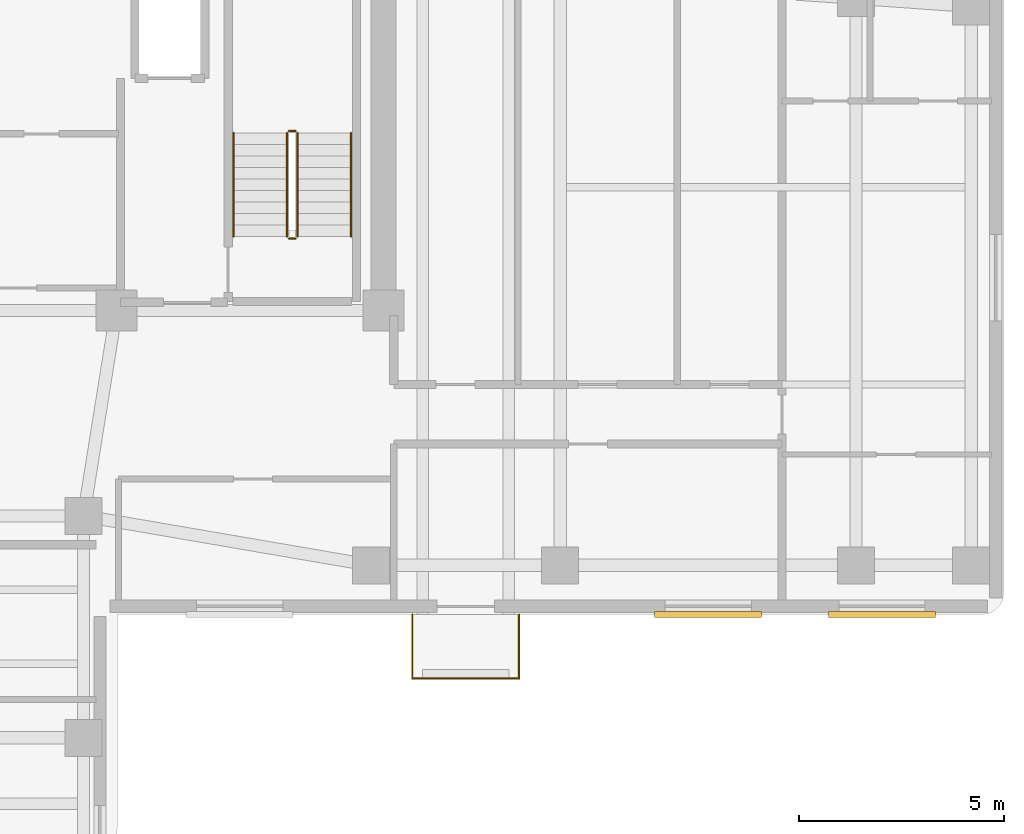
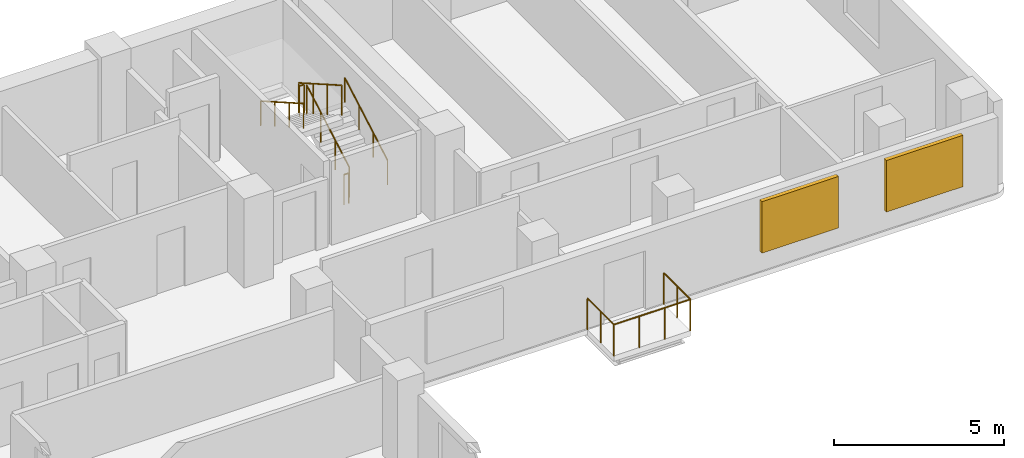
# One storey, part 7 of 7: 9 railings, 2 shading devices.
"""IFC4 building model written with IfcOpenShell, lengths in metres."""

from ifc_helpers import new_model, si_unit, direction, frame, origin, origin_2d, place, context, subcontext, project, spatial, rectangle, circle, extrude, material, layer, layer_set, type_object, element, save


model = new_model("IFC4")

# Units and contexts
model_context = context("Model", 3, precision=1e-05, world=origin(), true_north=direction((0.0, 1.0)))
body_context = subcontext(model_context, "Body", "Model", "MODEL_VIEW")
ifc_project = project(units=[si_unit("LENGTHUNIT", "METRE"), si_unit("AREAUNIT", "SQUARE_METRE"), si_unit("VOLUMEUNIT", "CUBIC_METRE"), si_unit("PLANEANGLEUNIT", "RADIAN"), si_unit("MASSUNIT", "GRAM", prefix="KILO")], contexts=[model_context])

# Site, building, storey
site_placement = place(None, origin())
site = spatial("IfcSite", under=ifc_project, at=site_placement, CompositionType="ELEMENT")
building_placement = place(site_placement, origin())
building = spatial("IfcBuilding", under=site, at=building_placement, Name="Kuzgunbayir Cultural Tower", CompositionType="ELEMENT")
storey_placement = place(building_placement, frame((0.0, 0.0, 179.199951171875)))
storey = spatial("IfcBuildingStorey", under=building, at=storey_placement, Name="L52", CompositionType="ELEMENT", Elevation=179.199951171875)

# Railings
ifc_material_1 = material(Name="Laminated Glass and Stainless Steel", Category="steel")
ifc_layer_1 = layer(ifc_material_1, 0.080078125)
ifc_layer_set_1 = layer_set([ifc_layer_1], Name="Laminated Glass and Stainless Steel")
railing_type_1 = type_object("IfcRailingType", Name="RLG-BAL-115", PredefinedType="BALUSTRADE", material=ifc_layer_set_1)
railing_1_placement = place(storey_placement, frame((27.60009765625, 26.39990234375, 0.0)))
element("IfcRailing", 1, at=railing_1_placement, inside=storey, type_object=railing_type_1, Name="L52 Balcony Guard BAL-L52-WB1 Segment 1", PredefinedType="BALUSTRADE", context=body_context, shape_type="SweptSolid", body=[
    extrude(circle(Radius=0.02392578125, at=origin_2d()), frame((0.0, 0.0, 1.1259765625), z_axis=(0.0, -1.0, 0.0), x_axis=(1.0, 0.0, 0.0)), (0.0, 0.0, 1.0), 1.559814453125),
    extrude(circle(Radius=0.02099609375, at=origin_2d()), origin(), (0.0, 0.0, 1.0), 1.101806640625),
    extrude(circle(Radius=0.02099609375, at=origin_2d()), frame((0.0, -0.77978515625, 0.0)), (0.0, 0.0, 1.0), 1.101806640625),
    extrude(circle(Radius=0.02099609375, at=origin_2d()), frame((0.0, -1.559814453125, 0.0)), (0.0, 0.0, 1.0), 1.101806640625),
])
railing_2_placement = place(storey_placement, frame((27.60009765625, 24.840087890625, 0.0)))
element("IfcRailing", 2, at=railing_2_placement, inside=storey, type_object=railing_type_1, Name="L52 Balcony Guard BAL-L52-WB1 Segment 2", PredefinedType="BALUSTRADE", context=body_context, shape_type="SweptSolid", body=[
    extrude(circle(Radius=0.02392578125, at=origin_2d()), frame((0.0, 0.0, 1.1259765625), z_axis=(1.0, 0.0, 0.0), x_axis=(0.0, 1.0, 0.0)), (0.0, 0.0, 1.0), 2.599853515625),
    extrude(circle(Radius=0.02099609375, at=origin_2d()), origin(), (0.0, 0.0, 1.0), 1.101806640625),
    extrude(circle(Radius=0.02099609375, at=origin_2d()), frame((0.86669921875, 0.0, 0.0)), (0.0, 0.0, 1.0), 1.101806640625),
    extrude(circle(Radius=0.02099609375, at=origin_2d()), frame((1.733154296875, 0.0, 0.0)), (0.0, 0.0, 1.0), 1.101806640625),
    extrude(circle(Radius=0.02099609375, at=origin_2d()), frame((2.599853515625, 0.0, 0.0)), (0.0, 0.0, 1.0), 1.101806640625),
])
railing_3_placement = place(storey_placement, frame((30.199951171875, 24.840087890625, 0.0)))
element("IfcRailing", 3, at=railing_3_placement, inside=storey, type_object=railing_type_1, Name="L52 Balcony Guard BAL-L52-WB1 Segment 3", PredefinedType="BALUSTRADE", context=body_context, shape_type="SweptSolid", body=[
    extrude(circle(Radius=0.02392578125, at=origin_2d()), frame((0.0, 0.0, 1.1259765625), z_axis=(0.0, 1.0, 0.0), x_axis=(-1.0, 0.0, 0.0)), (0.0, 0.0, 1.0), 1.559814453125),
    extrude(circle(Radius=0.02099609375, at=origin_2d()), origin(), (0.0, 0.0, 1.0), 1.101806640625),
    extrude(circle(Radius=0.02099609375, at=origin_2d()), frame((0.0, 0.77978515625, 0.0)), (0.0, 0.0, 1.0), 1.101806640625),
    extrude(circle(Radius=0.02099609375, at=origin_2d()), frame((0.0, 1.559814453125, 0.0)), (0.0, 0.0, 1.0), 1.101806640625),
])
ifc_material_2 = material(Name="Brushed Stainless Steel", Category="steel")
ifc_layer_2 = layer(ifc_material_2, 0.050048828125)
ifc_layer_set_2 = layer_set([ifc_layer_2], Name="Brushed Stainless Steel")
railing_type_2 = type_object("IfcRailingType", Name="RLG-STAIR-HANDRAIL", PredefinedType="HANDRAIL", material=ifc_layer_set_2)
railing_4_placement = place(storey_placement, frame((26.110107421875, 35.60009765625, 0.16015625)))
element("IfcRailing", 4, at=railing_4_placement, inside=storey, type_object=railing_type_2, Name="L52 ST-2 stair handrail 1", PredefinedType="HANDRAIL", context=body_context, shape_type="SweptSolid", body=[
    extrude(circle(Radius=0.02392578125, at=origin_2d()), frame((0.0, 0.0, 0.8759765625), z_axis=(0.0, 0.868253494771, 0.496120820787), x_axis=(-1.0, 0.0, 0.0)), (0.0, 0.0, 1.0), 2.90234375),
    extrude(circle(Radius=0.02099609375, at=origin_2d()), origin(), (0.0, 0.0, 1.0), 0.851806640625),
    extrude(circle(Radius=0.02099609375, at=origin_2d()), frame((0.0, 0.840087890625, 0.47998046875)), (0.0, 0.0, 1.0), 0.851806640625),
    extrude(circle(Radius=0.02099609375, at=origin_2d()), frame((0.0, 1.679931640625, 0.9599609375)), (0.0, 0.0, 1.0), 0.851806640625),
    extrude(circle(Radius=0.02099609375, at=origin_2d()), frame((0.0, 2.52001953125, 1.43994140625)), (0.0, 0.0, 1.0), 0.851806640625),
])
railing_5_placement = place(storey_placement, frame((23.25, 38.1201171875, 1.760009765625)))
element("IfcRailing", 5, at=railing_5_placement, inside=storey, type_object=railing_type_2, Name="L52 ST-2 stair handrail 2", PredefinedType="HANDRAIL", context=body_context, shape_type="SweptSolid", body=[
    extrude(circle(Radius=0.02392578125, at=origin_2d()), frame((0.0, 0.0, 0.8759765625), z_axis=(0.0, -0.868253494771, 0.496120820787), x_axis=(1.0, 0.0, 0.0)), (0.0, 0.0, 1.0), 2.90234375),
    extrude(circle(Radius=0.02099609375, at=origin_2d()), origin(), (0.0, 0.0, 1.0), 0.851806640625),
    extrude(circle(Radius=0.02099609375, at=origin_2d()), frame((0.0, -0.840087890625, 0.47998046875)), (0.0, 0.0, 1.0), 0.851806640625),
    extrude(circle(Radius=0.02099609375, at=origin_2d()), frame((0.0, -1.679931640625, 0.9599609375)), (0.0, 0.0, 1.0), 0.851806640625),
    extrude(circle(Radius=0.02099609375, at=origin_2d()), frame((0.0, -2.52001953125, 1.43994140625)), (0.0, 0.0, 1.0), 0.851806640625),
])
ifc_material_3 = material(Name="Painted Steel Balustrade", Category="steel")
ifc_layer_3 = layer(ifc_material_3, 0.06005859375)
ifc_layer_set_3 = layer_set([ifc_layer_3], Name="Painted Steel Balustrade")
railing_type_3 = type_object("IfcRailingType", Name="RLG-WELL-GUARD", PredefinedType="GUARDRAIL", material=ifc_layer_set_3)
railing_6_placement = place(storey_placement, frame((24.81005859375, 35.60009765625, 0.16015625)))
element("IfcRailing", 6, at=railing_6_placement, inside=storey, type_object=railing_type_3, Name="L52 ST-2 stair guard 1", PredefinedType="GUARDRAIL", context=body_context, shape_type="SweptSolid", body=[
    extrude(circle(Radius=0.02392578125, at=origin_2d()), frame((0.0, 0.0, 1.076171875), z_axis=(0.0, 0.868253494771, 0.496120820787), x_axis=(-1.0, 0.0, 0.0)), (0.0, 0.0, 1.0), 2.90234375),
    extrude(circle(Radius=0.02099609375, at=origin_2d()), origin(), (0.0, 0.0, 1.0), 1.052001953125),
    extrude(circle(Radius=0.02099609375, at=origin_2d()), frame((0.0, 0.840087890625, 0.47998046875)), (0.0, 0.0, 1.0), 1.052001953125),
    extrude(circle(Radius=0.02099609375, at=origin_2d()), frame((0.0, 1.679931640625, 0.9599609375)), (0.0, 0.0, 1.0), 1.052001953125),
    extrude(circle(Radius=0.02099609375, at=origin_2d()), frame((0.0, 2.52001953125, 1.43994140625)), (0.0, 0.0, 1.0), 1.052001953125),
])
railing_7_placement = place(storey_placement, frame((24.760009765625, 38.169921875, 1.60009765625)))
element("IfcRailing", 7, at=railing_7_placement, inside=storey, type_object=railing_type_3, Name="L52 ST-2 stair guard 2", PredefinedType="GUARDRAIL", context=body_context, shape_type="SweptSolid", body=[
    extrude(circle(Radius=0.02392578125, at=origin_2d()), frame((0.0, 0.0, 1.076171875), z_axis=(-1.0, 0.0, 0.0), x_axis=(0.0, -1.0, 0.0)), (0.0, 0.0, 1.0), 0.159912109375),
    extrude(circle(Radius=0.02099609375, at=origin_2d()), origin(), (0.0, 0.0, 1.0), 1.052001953125),
    extrude(circle(Radius=0.02099609375, at=origin_2d()), frame((-0.159912109375, 0.0, 0.0)), (0.0, 0.0, 1.0), 1.052001953125),
])
railing_8_placement = place(storey_placement, frame((24.550048828125, 38.1201171875, 1.760009765625)))
element("IfcRailing", 8, at=railing_8_placement, inside=storey, type_object=railing_type_3, Name="L52 ST-2 stair guard 3", PredefinedType="GUARDRAIL", context=body_context, shape_type="SweptSolid", body=[
    extrude(circle(Radius=0.02392578125, at=origin_2d()), frame((0.0, 0.0, 1.076171875), z_axis=(0.0, -0.868253494771, 0.496120820787), x_axis=(1.0, 0.0, 0.0)), (0.0, 0.0, 1.0), 2.90234375),
    extrude(circle(Radius=0.02099609375, at=origin_2d()), origin(), (0.0, 0.0, 1.0), 1.052001953125),
    extrude(circle(Radius=0.02099609375, at=origin_2d()), frame((0.0, -0.840087890625, 0.47998046875)), (0.0, 0.0, 1.0), 1.052001953125),
    extrude(circle(Radius=0.02099609375, at=origin_2d()), frame((0.0, -1.679931640625, 0.9599609375)), (0.0, 0.0, 1.0), 1.052001953125),
    extrude(circle(Radius=0.02099609375, at=origin_2d()), frame((0.0, -2.52001953125, 1.43994140625)), (0.0, 0.0, 1.0), 1.052001953125),
])
railing_9_placement = place(storey_placement, frame((24.760009765625, 35.550048828125, 0.0)))
element("IfcRailing", 9, at=railing_9_placement, inside=storey, type_object=railing_type_3, Name="L52 ST-2 stair guard 4", PredefinedType="GUARDRAIL", context=body_context, shape_type="SweptSolid", body=[
    extrude(circle(Radius=0.02392578125, at=origin_2d()), frame((0.0, 0.0, 1.076171875), z_axis=(-1.0, 0.0, 0.0), x_axis=(0.0, -1.0, 0.0)), (0.0, 0.0, 1.0), 0.159912109375),
    extrude(circle(Radius=0.02099609375, at=origin_2d()), origin(), (0.0, 0.0, 1.0), 1.052001953125),
    extrude(circle(Radius=0.02099609375, at=origin_2d()), frame((-0.159912109375, 0.0, 0.0)), (0.0, 0.0, 1.0), 1.052001953125),
])

# Shading devices
ifc_material_4 = material(Name="Perforated Bronze-Anodised Aluminium", Category="aluminium")
shading_device_type = type_object("IfcShadingDeviceType", Name="SHD-SOLAR-BRONZE", PredefinedType="JALOUSIE", material=ifc_material_4)
for number, where, z_axis, x_axis, name in (
    (10, (39.030029296875, 26.39990234375, 0.72509765625), (0.0, 0.0, 1.0), (1.0, 0.0, 0.0), "L52 Solar Screen WBS6"),
    (11, (34.800048828125, 26.39990234375, 0.72509765625), (0.0, 0.0, 1.0), (1.0, 0.0, 0.0), "L52 Solar Screen WBS16"),
):
    element("IfcShadingDevice", number, at=place(storey_placement, frame(where, z_axis=z_axis, x_axis=x_axis)), inside=storey, type_object=shading_device_type, Name=name, PredefinedType="JALOUSIE", context=body_context, shape_type="SweptSolid", body=[
        extrude(rectangle(XDim=2.60009765625, YDim=0.139892578125, at=origin_2d()), origin(), (0.0, 0.0, 1.0), 1.85009765625),
    ])

save(model, "model.ifc")
